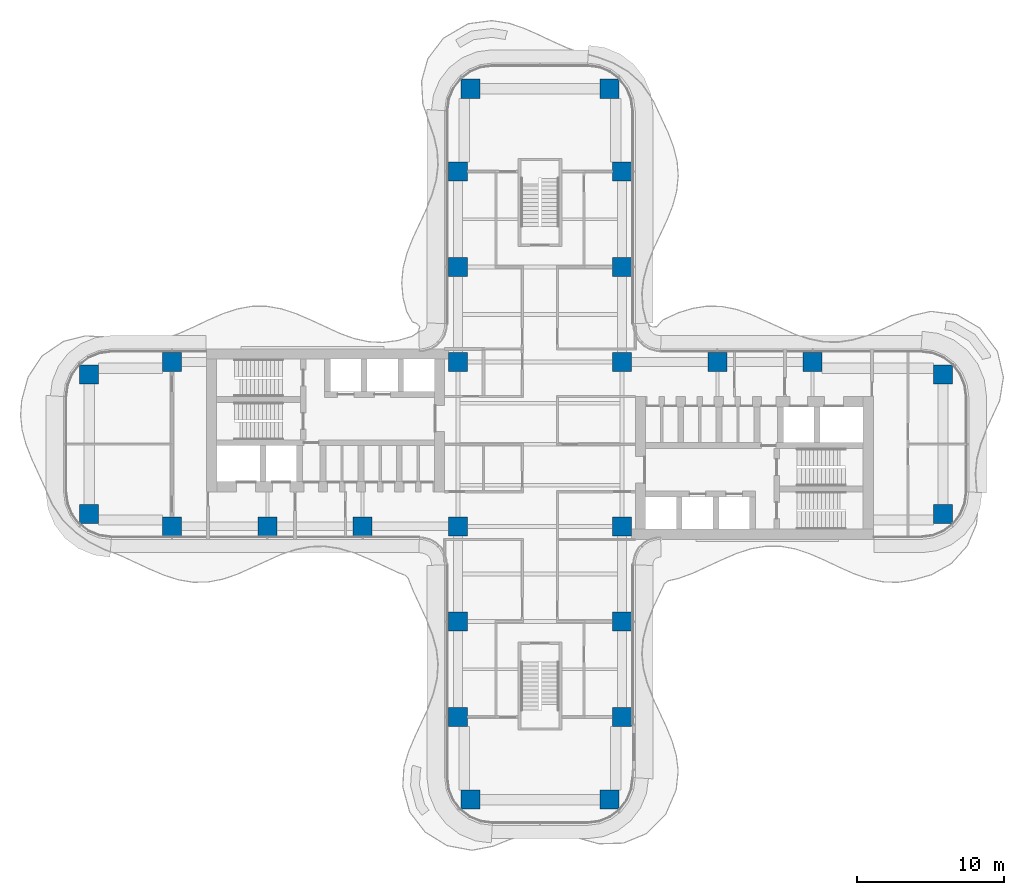
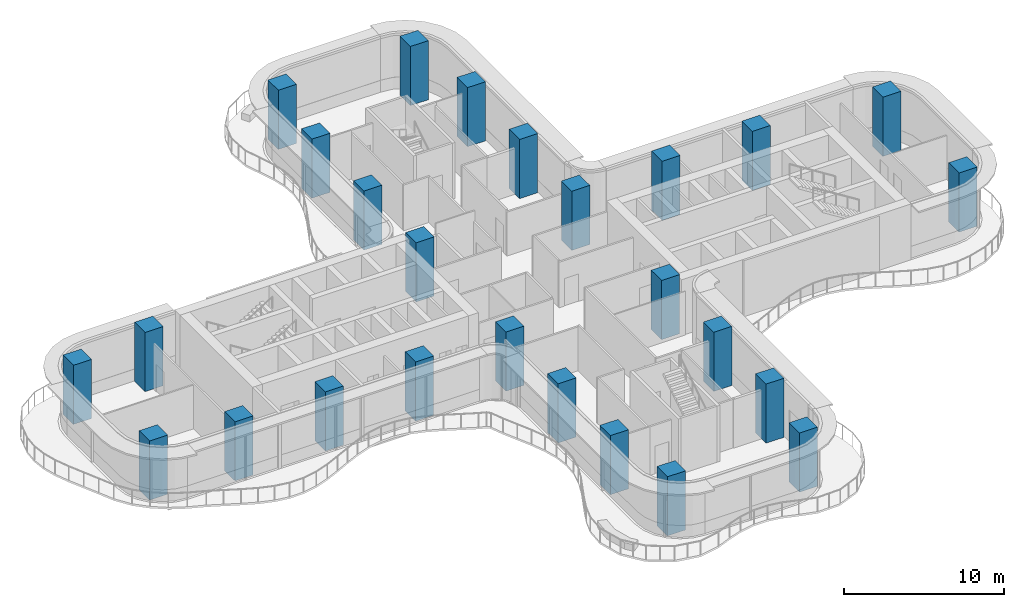
# One storey, part 1 of 21: 26 columns.
"""IFC4 building model written with IfcOpenShell, lengths in metres."""

from ifc_helpers import new_model, si_unit, direction, frame, origin, origin_2d, place, context, subcontext, project, spatial, rectangle, extrude, source, transform, mapped, material, material_profile, profile_set, type_object, element, save


model = new_model("IFC4")

# Units and contexts
model_context = context("Model", 3, precision=1e-05, world=origin(), true_north=direction((0.0, 1.0)))
body_context = subcontext(model_context, "Body", "Model", "MODEL_VIEW")
ifc_project = project(units=[si_unit("LENGTHUNIT", "METRE"), si_unit("AREAUNIT", "SQUARE_METRE"), si_unit("VOLUMEUNIT", "CUBIC_METRE"), si_unit("PLANEANGLEUNIT", "RADIAN"), si_unit("MASSUNIT", "GRAM", prefix="KILO")], contexts=[model_context])

# Site, building, storey
site_placement = place(None, origin())
site = spatial("IfcSite", under=ifc_project, at=site_placement, CompositionType="ELEMENT")
building_placement = place(site_placement, origin())
building = spatial("IfcBuilding", under=site, at=building_placement, Name="Trellis Farm Tower", CompositionType="ELEMENT")
storey_placement = place(building_placement, frame((0.0, 0.0, 138.0)))
storey = spatial("IfcBuildingStorey", under=building, at=storey_placement, Name="L29", CompositionType="ELEMENT", Elevation=138.0)

# Columns
ifc_material = material(Name="Concrete C80/95", Category="concrete")
ifc_material_profile = material_profile(ifc_material, rectangle(XDim=1.300048828125, YDim=1.300048828125, at=origin_2d()), Name="RC column 1300x1300 C80/95")
ifc_profile_set = profile_set([ifc_material_profile], Name="Concrete C80/95")
column_type = type_object("IfcColumnType", Name="RC column 1300x1300 C80/95", PredefinedType="COLUMN", material=ifc_profile_set)
shared_shape = source(origin(), body_context, "Body", "SweptSolid", [
    extrude(rectangle(XDim=1.300048828125, YDim=1.300048828125, at=origin_2d()), origin(), (0.0, 0.0, 1.0), 4.5),
])
for number, where, z_axis, x_axis, name in (
    (1, (12.10009765625, 5.60009765625, 0.0), (0.0, 0.0, 1.0), (1.0, 0.0, 0.0), "Column"),
    (2, (18.60009765625, 5.60009765625, 0.0), (0.0, 0.0, 1.0), (1.0, 0.0, 0.0), "Column"),
    (3, (27.5, 4.75, 0.0), (0.0, 0.0, 1.0), (1.0, 0.0, 0.0), "Column"),
    (4, (27.5, -4.75, 0.0), (0.0, 0.0, 1.0), (1.0, 0.0, 0.0), "Column"),
    (5, (-5.60009765625, 12.10009765625, 0.0), (0.0, 0.0, 1.0), (1.0, 0.0, 0.0), "Column"),
    (6, (-5.60009765625, 18.60009765625, 0.0), (0.0, 0.0, 1.0), (1.0, 0.0, 0.0), "Column"),
    (7, (-4.75, 24.25, 0.0), (0.0, 0.0, 1.0), (1.0, 0.0, 0.0), "Column"),
    (8, (5.60009765625, 12.10009765625, 0.0), (0.0, 0.0, 1.0), (1.0, 0.0, 0.0), "Column"),
    (9, (5.60009765625, 18.60009765625, 0.0), (0.0, 0.0, 1.0), (1.0, 0.0, 0.0), "Column"),
    (10, (4.75, 24.25, 0.0), (0.0, 0.0, 1.0), (1.0, 0.0, 0.0), "Column"),
    (11, (5.60009765625, 5.60009765625, 0.0), (0.0, 0.0, 1.0), (1.0, 0.0, 0.0), "Column"),
    (12, (-5.60009765625, 5.60009765625, 0.0), (0.0, 0.0, 1.0), (1.0, 0.0, 0.0), "Column"),
    (13, (5.60009765625, -5.60009765625, 0.0), (0.0, 0.0, 1.0), (1.0, 0.0, 0.0), "Column"),
    (14, (-5.60009765625, -5.60009765625, 0.0), (0.0, 0.0, 1.0), (1.0, 0.0, 0.0), "Column"),
    (15, (5.60009765625, -12.10009765625, 0.0), (0.0, 0.0, 1.0), (1.0, 0.0, 0.0), "Column"),
    (16, (5.60009765625, -18.60009765625, 0.0), (0.0, 0.0, 1.0), (1.0, 0.0, 0.0), "Column"),
    (17, (4.75, -24.25, 0.0), (0.0, 0.0, 1.0), (1.0, 0.0, 0.0), "Column"),
    (18, (-5.60009765625, -12.10009765625, 0.0), (0.0, 0.0, 1.0), (1.0, 0.0, 0.0), "Column"),
    (19, (-5.60009765625, -18.60009765625, 0.0), (0.0, 0.0, 1.0), (1.0, 0.0, 0.0), "Column"),
    (20, (-4.75, -24.25, 0.0), (0.0, 0.0, 1.0), (1.0, 0.0, 0.0), "Column"),
    (21, (-12.10009765625, -5.60009765625, 0.0), (0.0, 0.0, 1.0), (1.0, 0.0, 0.0), "Column"),
    (22, (-18.60009765625, -5.60009765625, 0.0), (0.0, 0.0, 1.0), (1.0, 0.0, 0.0), "Column"),
    (23, (-25.10009765625, -5.60009765625, 0.0), (0.0, 0.0, 1.0), (1.0, 0.0, 0.0), "Column"),
    (24, (-30.75, -4.75, 0.0), (0.0, 0.0, 1.0), (1.0, 0.0, 0.0), "Column"),
    (25, (-25.10009765625, 5.60009765625, 0.0), (0.0, 0.0, 1.0), (1.0, 0.0, 0.0), "Column"),
    (26, (-30.75, 4.75, 0.0), (0.0, 0.0, 1.0), (1.0, 0.0, 0.0), "Column"),
):
    element("IfcColumn", number, at=place(storey_placement, frame(where, z_axis=z_axis, x_axis=x_axis)), inside=storey, type_object=column_type, Name=name, PredefinedType="COLUMN", context=body_context, shape_type="MappedRepresentation", body=[
        mapped(shared_shape, transform((0.0, 0.0, 0.0))),
    ])

save(model, "model.ifc")
